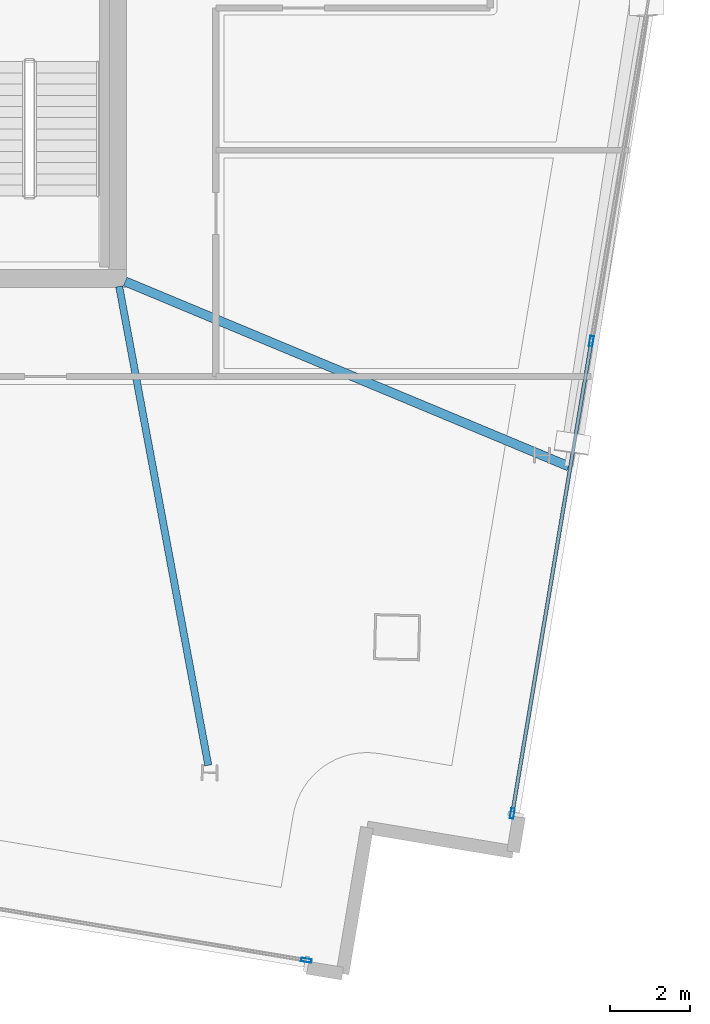
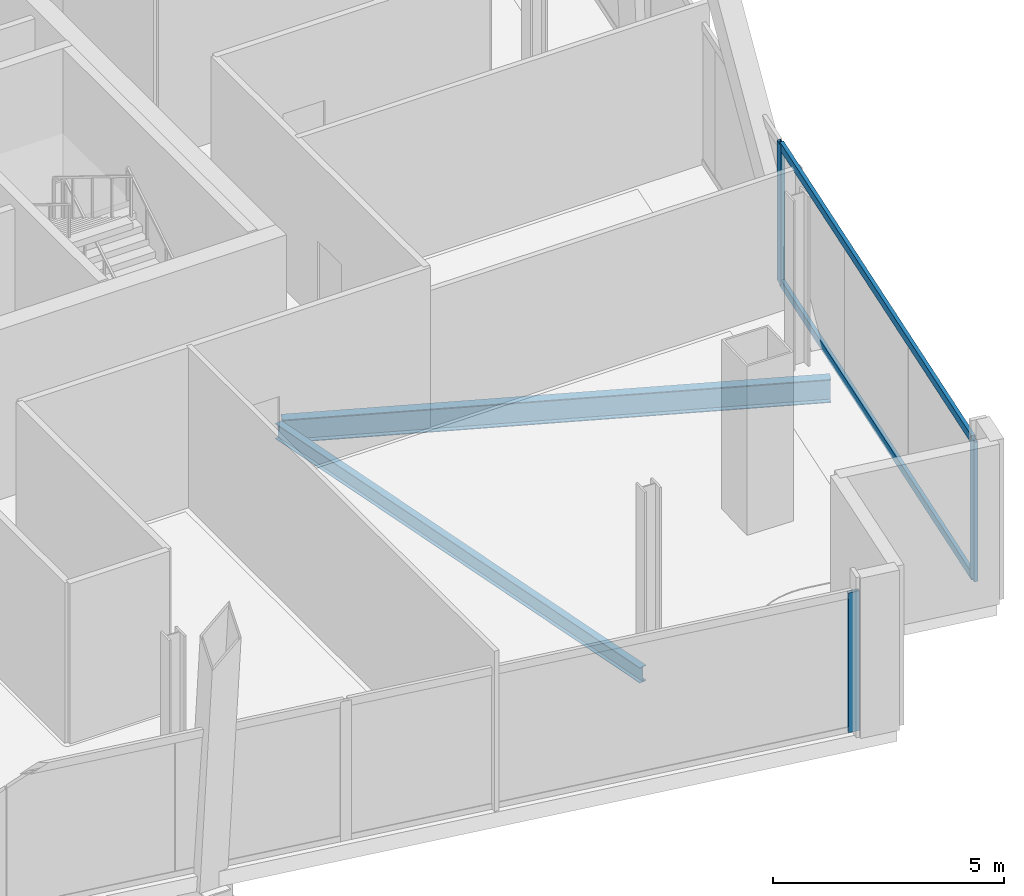
# One storey, part 6 of 18: 5 members, 2 beams, 2 elements without a shape of their own.
"""IFC4 building model written with IfcOpenShell, lengths in metres."""

from ifc_helpers import new_model, si_unit, direction, frame, origin, origin_2d, place, context, subcontext, project, spatial, hollow_rectangle, i_section, extrude, material, material_profile, profile_set, type_object, element, aggregate, save


model = new_model("IFC4")

# Units and contexts
model_context = context("Model", 3, precision=1e-05, world=origin(), true_north=direction((0.0, 1.0)))
body_context = subcontext(model_context, "Body", "Model", "MODEL_VIEW")
ifc_project = project(units=[si_unit("LENGTHUNIT", "METRE"), si_unit("AREAUNIT", "SQUARE_METRE"), si_unit("VOLUMEUNIT", "CUBIC_METRE"), si_unit("PLANEANGLEUNIT", "RADIAN"), si_unit("MASSUNIT", "GRAM", prefix="KILO")], contexts=[model_context])

# Site, building, storey
site_placement = place(None, origin())
site = spatial("IfcSite", under=ifc_project, at=site_placement, CompositionType="ELEMENT")
building_placement = place(site_placement, origin())
building = spatial("IfcBuilding", under=site, at=building_placement, Name="Haldenkirk Collegiate Tower", CompositionType="ELEMENT")
storey_placement = place(building_placement, frame((0.0, 0.0, 298.199951171875)))
storey = spatial("IfcBuildingStorey", under=building, at=storey_placement, Name="L75", CompositionType="ELEMENT", Elevation=298.199951171875)

# Beams
ifc_material_1 = material(Name="Steel ASTM A992 Grade 50", Category="steel")
ifc_material_profile_1 = material_profile(ifc_material_1, i_section(OverallWidth=0.22998046875, OverallDepth=0.616943359375, WebThickness=0.01318359375, FlangeThickness=0.022216796875, at=origin_2d()), Name="W24X94")
ifc_profile_set_1 = profile_set([ifc_material_profile_1], Name="Steel ASTM A992 Grade 50")
beam_type_1 = type_object("IfcBeamType", Name="BM-GIRDER-W24X94", PredefinedType="BEAM", material=ifc_profile_set_1)
beam_1_placement = place(storey_placement, frame((56.2626953125, 13.3046875, -0.70849609375), z_axis=(-0.923002852204, 0.384793106518, 0.0), x_axis=(-0.384793106518, -0.923002852204, 0.0)))
element("IfcBeam", 1, at=beam_1_placement, inside=storey, type_object=beam_type_1, Name="L75 primary floor girder 05", PredefinedType="BEAM", context=body_context, shape_type="SweptSolid", body=[
    extrude(i_section(OverallWidth=0.22998046875, OverallDepth=0.616943359375, WebThickness=0.01318359375, FlangeThickness=0.022216796875, at=origin_2d()), origin(), (0.0, 0.0, 1.0), 11.997314453125),
])
ifc_material_profile_2 = material_profile(ifc_material_1, i_section(OverallWidth=0.177978515625, OverallDepth=0.406005859375, WebThickness=0.0078125, FlangeThickness=0.0126953125, at=origin_2d()), Name="W16X40")
ifc_profile_set_2 = profile_set([ifc_material_profile_2], Name="Steel ASTM A992 Grade 50")
beam_type_2 = type_object("IfcBeamType", Name="BM-JOIST-W16X40", PredefinedType="JOIST", material=ifc_profile_set_2)
beam_2_placement = place(storey_placement, frame((47.262451171875, 5.84228515625, -0.60302734375), z_axis=(-0.18294175887, 0.983123752567, 0.0), x_axis=(-0.983123752567, -0.18294175887, 0.0)))
element("IfcBeam", 2, at=beam_2_placement, inside=storey, type_object=beam_type_2, Name="L75 composite floor joist 16", PredefinedType="JOIST", context=body_context, shape_type="SweptSolid", body=[
    extrude(i_section(OverallWidth=0.177978515625, OverallDepth=0.406005859375, WebThickness=0.0078125, FlangeThickness=0.0126953125, at=origin_2d()), origin(), (0.0, 0.0, 1.0), 12.16162109375),
])

# Curtain wall, members
ifc_material_2 = material(Name="Anodised architectural bronze aluminium", Category="aluminium")
curtain_wall_type = type_object("IfcCurtainWallType", Name="CW-SYS4-SKYGARDEN", PredefinedType="USERDEFINED", material=ifc_material_2)
curtain_wall_1_placement = place(storey_placement, origin())
curtain_wall_1 = element("IfcCurtainWall", 3, at=curtain_wall_1_placement, inside=storey, type_object=curtain_wall_type, Name="L75 Sky-garden tall bronze curtain wall", ObjectType="UNITISED CURTAIN WALL", PredefinedType="USERDEFINED")
ifc_material_profile_3 = material_profile(ifc_material_2, hollow_rectangle(XDim=0.090087890625, YDim=0.260009765625, WallThickness=0.0048828125, at=origin_2d()), Name="CW-MUL-04")
ifc_profile_set_3 = profile_set([ifc_material_profile_3], Name="Anodised architectural bronze aluminium")
member_type_1 = type_object("IfcMemberType", Name="CW-MUL-04", PredefinedType="MULLION", material=ifc_profile_set_3)
member_1_placement = place(storey_placement, frame((56.826416015625, 16.431396484375, 0.0), z_axis=(0.0, 0.0, 1.0), x_axis=(0.986285150019, -0.165050304006, 0.0)))
member_1 = element("IfcMember", 4, at=member_1_placement, type_object=member_type_1, Name="CW-04 mullion 3", PredefinedType="MULLION", context=body_context, shape_type="SweptSolid", body=[
    extrude(hollow_rectangle(XDim=0.090087890625, YDim=0.260009765625, WallThickness=0.0048828125, at=origin_2d()), origin(), (0.0, 0.0, 1.0), 3.697998046875),
])
member_2_placement = place(storey_placement, frame((54.853271484375, 4.640380859375, 0.0), z_axis=(0.0, 0.0, 1.0), x_axis=(0.986285150019, -0.165050304006, 0.0)))
member_2 = element("IfcMember", 5, at=member_2_placement, type_object=member_type_1, Name="CW-04 mullion 4", PredefinedType="MULLION", context=body_context, shape_type="SweptSolid", body=[
    extrude(hollow_rectangle(XDim=0.090087890625, YDim=0.260009765625, WallThickness=0.0048828125, at=origin_2d()), origin(), (0.0, 0.0, 1.0), 3.697998046875),
])

# Curtain wall, member
curtain_wall_2_placement = place(storey_placement, origin())
curtain_wall_2 = element("IfcCurtainWall", 6, at=curtain_wall_2_placement, inside=storey, type_object=curtain_wall_type, Name="L75 Sky-garden tall bronze curtain wall", ObjectType="UNITISED CURTAIN WALL", PredefinedType="USERDEFINED")
member_3_placement = place(storey_placement, frame((49.71240234375, 0.9736328125, 0.0), z_axis=(0.0, 0.0, 1.0), x_axis=(-0.165048518423, -0.986285448826, 0.0)))
member_3 = element("IfcMember", 7, at=member_3_placement, type_object=member_type_1, Name="CW-04 mullion 1", PredefinedType="MULLION", context=body_context, shape_type="SweptSolid", body=[
    extrude(hollow_rectangle(XDim=0.090087890625, YDim=0.260009765625, WallThickness=0.0048828125, at=origin_2d()), origin(), (0.0, 0.0, 1.0), 3.697998046875),
])
aggregate(curtain_wall_2, [member_3])

# Member
ifc_material_profile_4 = material_profile(ifc_material_2, hollow_rectangle(XDim=0.090087890625, YDim=0.2099609375, WallThickness=0.0048828125, at=origin_2d()), Name="CW-TRN-04")
ifc_profile_set_4 = profile_set([ifc_material_profile_4], Name="Anodised architectural bronze aluminium")
member_type_2 = type_object("IfcMemberType", Name="CW-TRN-04", PredefinedType="USERDEFINED", material=ifc_profile_set_4)
member_4_placement = place(storey_placement, frame((56.819091796875, 16.386962890625, 0.045166015625), z_axis=(-0.165066302172, -0.986282472665, 0.0), x_axis=(0.986282472665, -0.165066302172, 0.0)))
member_4 = element("IfcMember", 8, at=member_4_placement, type_object=member_type_2, Name="CW-04 transom 3.1", ObjectType="TRANSOM", PredefinedType="USERDEFINED", context=body_context, shape_type="SweptSolid", body=[
    extrude(hollow_rectangle(XDim=0.090087890625, YDim=0.2099609375, WallThickness=0.0048828125, at=origin_2d()), origin(), (0.0, 0.0, 1.0), 11.864990234375),
])

member_5_placement = place(storey_placement, frame((56.819091796875, 16.386962890625, 3.653076171875), z_axis=(-0.165066302172, -0.986282472665, 0.0), x_axis=(0.986282472665, -0.165066302172, 0.0)))
member_5 = element("IfcMember", 9, at=member_5_placement, type_object=member_type_2, Name="CW-04 transom 3.2", ObjectType="TRANSOM", PredefinedType="USERDEFINED", context=body_context, shape_type="SweptSolid", body=[
    extrude(hollow_rectangle(XDim=0.090087890625, YDim=0.2099609375, WallThickness=0.0048828125, at=origin_2d()), origin(), (0.0, 0.0, 1.0), 11.864990234375),
])

aggregate(curtain_wall_1, [member_1, member_2, member_4, member_5])

save(model, "model.ifc")
